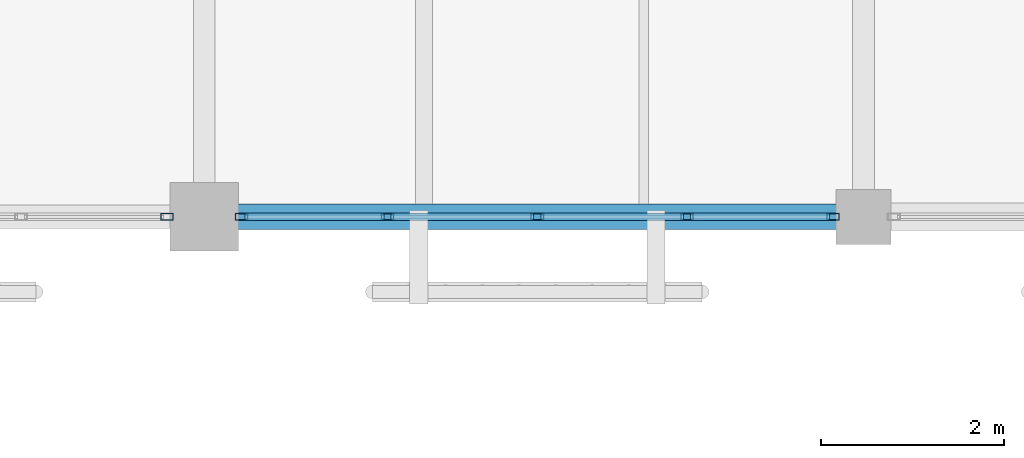
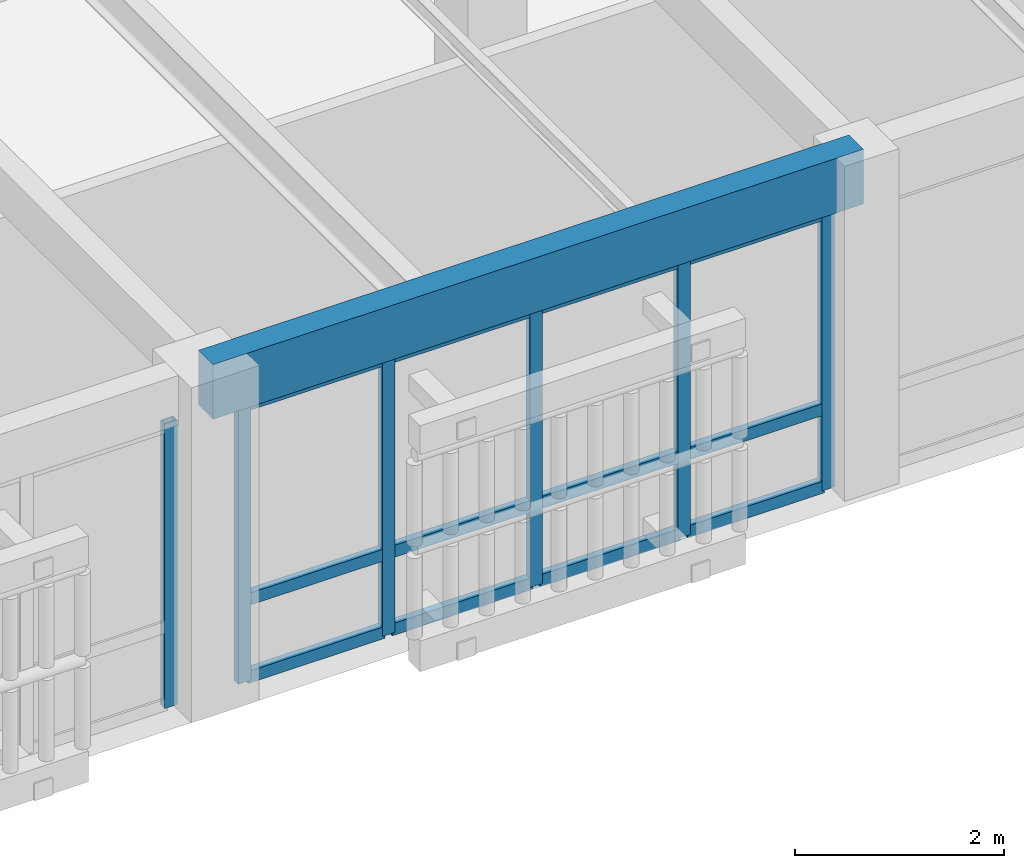
# One storey, part 108 of 170: 18 members, 1 beam, 2 elements without a shape of their own.
"""IFC4 building model written with IfcOpenShell, lengths in metres."""

from ifc_helpers import new_model, si_unit, direction, frame, origin, origin_2d, place, context, subcontext, project, spatial, rectangle, hollow_rectangle, extrude, material, layer, layer_set, material_profile, profile_set, type_object, element, aggregate, save


model = new_model("IFC4")

# Units and contexts
model_context = context("Model", 3, precision=1e-05, world=origin(), true_north=direction((0.0, 1.0)))
body_context = subcontext(model_context, "Body", "Model", "MODEL_VIEW")
ifc_project = project(units=[si_unit("LENGTHUNIT", "METRE"), si_unit("AREAUNIT", "SQUARE_METRE"), si_unit("VOLUMEUNIT", "CUBIC_METRE"), si_unit("PLANEANGLEUNIT", "RADIAN"), si_unit("MASSUNIT", "GRAM", prefix="KILO")], contexts=[model_context])

# Site, building, storey
site_placement = place(None, origin())
site = spatial("IfcSite", under=ifc_project, at=site_placement, CompositionType="ELEMENT")
building_placement = place(site_placement, origin())
building = spatial("IfcBuilding", under=site, at=building_placement, Name="Mazaris Harbour Polytechnic", CompositionType="ELEMENT")
storey_placement = place(building_placement, frame((0.0, 0.0, 5.39990234375)))
storey = spatial("IfcBuildingStorey", under=building, at=storey_placement, Name="L01", CompositionType="ELEMENT", Elevation=5.39990234375)

# Curtain wall, member
ifc_material_1 = material(Name="Anodised Bronze Aluminium and Low-E Glass", Category="aluminium")
ifc_layer = layer(ifc_material_1, 0.169921875, Name="Anodised Bronze Aluminium and Low-E Glass")
ifc_layer_set = layer_set([ifc_layer], Name="Anodised Bronze Aluminium and Low-E Glass")
curtain_wall_type = type_object("IfcCurtainWallType", Name="Studio North-Light Curtain Wall", PredefinedType="NOTDEFINED", material=ifc_layer_set)
curtain_wall_1_placement = place(storey_placement, origin())
curtain_wall_1 = element("IfcCurtainWall", 1, at=curtain_wall_1_placement, inside=storey, type_object=curtain_wall_type, Name="V5 L01 Curtain Wall 216", PredefinedType="NOTDEFINED")
ifc_material_2 = material(Name="Anodised Bronze Steel S355", Category="steel")
ifc_material_profile_1 = material_profile(ifc_material_2, hollow_rectangle(XDim=0.080078125, YDim=0.139892578125, WallThickness=0.00634765625, at=origin_2d()), Name="RHS 80x140x6.3")
ifc_profile_set_1 = profile_set([ifc_material_profile_1], Name="Anodised Bronze Steel S355")
member_type_1 = type_object("IfcMemberType", Name="Curtain Mullion RHS80x140", PredefinedType="MULLION", material=ifc_profile_set_1)
member_1_placement = place(storey_placement, frame((143.593017578125, 86.39990234375, 0.0), z_axis=(0.0, 0.0, 1.0), x_axis=(0.0, -1.0, 0.0)))
member_1 = element("IfcMember", 2, at=member_1_placement, type_object=member_type_1, Name="CW-03 mullion 1", PredefinedType="MULLION", context=body_context, shape_type="SweptSolid", body=[
    extrude(hollow_rectangle(XDim=0.080078125, YDim=0.139892578125, WallThickness=0.00634765625, at=origin_2d()), origin(), (0.0, 0.0, 1.0), 3.330078125),
])
aggregate(curtain_wall_1, [member_1])

# Curtain wall, members
curtain_wall_2_placement = place(storey_placement, origin())
curtain_wall_2 = element("IfcCurtainWall", 3, at=curtain_wall_2_placement, inside=storey, type_object=curtain_wall_type, Name="V5 L01 Curtain Wall 217", PredefinedType="NOTDEFINED")
member_2_placement = place(storey_placement, frame((150.867919921875, 86.39990234375, 0.0), z_axis=(0.0, 0.0, 1.0), x_axis=(0.0, -1.0, 0.0)))
member_2 = element("IfcMember", 4, at=member_2_placement, type_object=member_type_1, Name="CW-03 mullion 1", PredefinedType="MULLION", context=body_context, shape_type="SweptSolid", body=[
    extrude(hollow_rectangle(XDim=0.080078125, YDim=0.139892578125, WallThickness=0.00634765625, at=origin_2d()), origin(), (0.0, 0.0, 1.0), 3.27001953125),
])
member_3_placement = place(storey_placement, frame((149.272705078125, 86.39990234375, 0.0), z_axis=(0.0, 0.0, 1.0), x_axis=(0.0, -1.0, 0.0)))
member_3 = element("IfcMember", 5, at=member_3_placement, type_object=member_type_1, Name="CW-03 mullion 2", PredefinedType="MULLION", context=body_context, shape_type="SweptSolid", body=[
    extrude(hollow_rectangle(XDim=0.080078125, YDim=0.139892578125, WallThickness=0.00634765625, at=origin_2d()), origin(), (0.0, 0.0, 1.0), 3.27001953125),
])
member_4_placement = place(storey_placement, frame((147.637451171875, 86.39990234375, 0.0), z_axis=(0.0, 0.0, 1.0), x_axis=(0.0, -1.0, 0.0)))
member_4 = element("IfcMember", 6, at=member_4_placement, type_object=member_type_1, Name="CW-03 mullion 3", PredefinedType="MULLION", context=body_context, shape_type="SweptSolid", body=[
    extrude(hollow_rectangle(XDim=0.080078125, YDim=0.139892578125, WallThickness=0.00634765625, at=origin_2d()), origin(), (0.0, 0.0, 1.0), 3.27001953125),
])
member_5_placement = place(storey_placement, frame((146.002197265625, 86.39990234375, 0.0), z_axis=(0.0, 0.0, 1.0), x_axis=(0.0, -1.0, 0.0)))
member_5 = element("IfcMember", 7, at=member_5_placement, type_object=member_type_1, Name="CW-03 mullion 4", PredefinedType="MULLION", context=body_context, shape_type="SweptSolid", body=[
    extrude(hollow_rectangle(XDim=0.080078125, YDim=0.139892578125, WallThickness=0.00634765625, at=origin_2d()), origin(), (0.0, 0.0, 1.0), 3.27001953125),
])
member_6_placement = place(storey_placement, frame((144.406982421875, 86.39990234375, 0.0), z_axis=(0.0, 0.0, 1.0), x_axis=(0.0, -1.0, 0.0)))
member_6 = element("IfcMember", 8, at=member_6_placement, type_object=member_type_1, Name="CW-03 mullion 5", PredefinedType="MULLION", context=body_context, shape_type="SweptSolid", body=[
    extrude(hollow_rectangle(XDim=0.080078125, YDim=0.139892578125, WallThickness=0.00634765625, at=origin_2d()), origin(), (0.0, 0.0, 1.0), 3.27001953125),
])
ifc_material_3 = material(Name="Anodised Bronze Steel S355", Category="steel")
ifc_material_profile_2 = material_profile(ifc_material_3, hollow_rectangle(XDim=0.080078125, YDim=0.139892578125, WallThickness=0.00634765625, at=origin_2d()), Name="RHS 80x140x6.3")
ifc_profile_set_2 = profile_set([ifc_material_profile_2], Name="Anodised Bronze Steel S355")
member_type_2 = type_object("IfcMemberType", Name="Curtain Transom RHS80x140", PredefinedType="USERDEFINED", material=ifc_profile_set_2)
member_7_placement = place(storey_placement, frame((150.827880859375, 86.39990234375, 0.0400390625), z_axis=(-1.0, 0.0, 0.0), x_axis=(0.0, -1.0, 0.0)))
member_7 = element("IfcMember", 9, at=member_7_placement, type_object=member_type_2, Name="CW-03 transom 1.1", ObjectType="TRANSOM", PredefinedType="USERDEFINED", context=body_context, shape_type="SweptSolid", body=[
    extrude(hollow_rectangle(XDim=0.080078125, YDim=0.139892578125, WallThickness=0.00634765625, at=origin_2d()), origin(), (0.0, 0.0, 1.0), 1.51513671875),
])
member_8_placement = place(storey_placement, frame((150.827880859375, 86.39990234375, 0.9501953125), z_axis=(-1.0, 0.0, 0.0), x_axis=(0.0, -1.0, 0.0)))
member_8 = element("IfcMember", 10, at=member_8_placement, type_object=member_type_2, Name="CW-03 transom 1.2", ObjectType="TRANSOM", PredefinedType="USERDEFINED", context=body_context, shape_type="SweptSolid", body=[
    extrude(hollow_rectangle(XDim=0.080078125, YDim=0.139892578125, WallThickness=0.00634765625, at=origin_2d()), origin(), (0.0, 0.0, 1.0), 1.51513671875),
])
member_9_placement = place(storey_placement, frame((150.827880859375, 86.39990234375, 3.22998046875), z_axis=(-1.0, 0.0, 0.0), x_axis=(0.0, -1.0, 0.0)))
member_9 = element("IfcMember", 11, at=member_9_placement, type_object=member_type_2, Name="CW-03 transom 1.3", ObjectType="TRANSOM", PredefinedType="USERDEFINED", context=body_context, shape_type="SweptSolid", body=[
    extrude(hollow_rectangle(XDim=0.080078125, YDim=0.139892578125, WallThickness=0.00634765625, at=origin_2d()), origin(), (0.0, 0.0, 1.0), 1.51513671875),
])
member_10_placement = place(storey_placement, frame((149.232666015625, 86.39990234375, 0.0400390625), z_axis=(-1.0, 0.0, 0.0), x_axis=(0.0, -1.0, 0.0)))
member_10 = element("IfcMember", 12, at=member_10_placement, type_object=member_type_2, Name="CW-03 transom 2.1", ObjectType="TRANSOM", PredefinedType="USERDEFINED", context=body_context, shape_type="SweptSolid", body=[
    extrude(hollow_rectangle(XDim=0.080078125, YDim=0.139892578125, WallThickness=0.00634765625, at=origin_2d()), origin(), (0.0, 0.0, 1.0), 1.55517578125),
])
member_11_placement = place(storey_placement, frame((149.232666015625, 86.39990234375, 0.9501953125), z_axis=(-1.0, 0.0, 0.0), x_axis=(0.0, -1.0, 0.0)))
member_11 = element("IfcMember", 13, at=member_11_placement, type_object=member_type_2, Name="CW-03 transom 2.2", ObjectType="TRANSOM", PredefinedType="USERDEFINED", context=body_context, shape_type="SweptSolid", body=[
    extrude(hollow_rectangle(XDim=0.080078125, YDim=0.139892578125, WallThickness=0.00634765625, at=origin_2d()), origin(), (0.0, 0.0, 1.0), 1.55517578125),
])
member_12_placement = place(storey_placement, frame((149.232666015625, 86.39990234375, 3.22998046875), z_axis=(-1.0, 0.0, 0.0), x_axis=(0.0, -1.0, 0.0)))
member_12 = element("IfcMember", 14, at=member_12_placement, type_object=member_type_2, Name="CW-03 transom 2.3", ObjectType="TRANSOM", PredefinedType="USERDEFINED", context=body_context, shape_type="SweptSolid", body=[
    extrude(hollow_rectangle(XDim=0.080078125, YDim=0.139892578125, WallThickness=0.00634765625, at=origin_2d()), origin(), (0.0, 0.0, 1.0), 1.55517578125),
])
member_13_placement = place(storey_placement, frame((147.597412109375, 86.39990234375, 0.0400390625), z_axis=(-1.0, 0.0, 0.0), x_axis=(0.0, -1.0, 0.0)))
member_13 = element("IfcMember", 15, at=member_13_placement, type_object=member_type_2, Name="CW-03 transom 3.1", ObjectType="TRANSOM", PredefinedType="USERDEFINED", context=body_context, shape_type="SweptSolid", body=[
    extrude(hollow_rectangle(XDim=0.080078125, YDim=0.139892578125, WallThickness=0.00634765625, at=origin_2d()), origin(), (0.0, 0.0, 1.0), 1.55517578125),
])
member_14_placement = place(storey_placement, frame((147.597412109375, 86.39990234375, 0.9501953125), z_axis=(-1.0, 0.0, 0.0), x_axis=(0.0, -1.0, 0.0)))
member_14 = element("IfcMember", 16, at=member_14_placement, type_object=member_type_2, Name="CW-03 transom 3.2", ObjectType="TRANSOM", PredefinedType="USERDEFINED", context=body_context, shape_type="SweptSolid", body=[
    extrude(hollow_rectangle(XDim=0.080078125, YDim=0.139892578125, WallThickness=0.00634765625, at=origin_2d()), origin(), (0.0, 0.0, 1.0), 1.55517578125),
])
member_15_placement = place(storey_placement, frame((147.597412109375, 86.39990234375, 3.22998046875), z_axis=(-1.0, 0.0, 0.0), x_axis=(0.0, -1.0, 0.0)))
member_15 = element("IfcMember", 17, at=member_15_placement, type_object=member_type_2, Name="CW-03 transom 3.3", ObjectType="TRANSOM", PredefinedType="USERDEFINED", context=body_context, shape_type="SweptSolid", body=[
    extrude(hollow_rectangle(XDim=0.080078125, YDim=0.139892578125, WallThickness=0.00634765625, at=origin_2d()), origin(), (0.0, 0.0, 1.0), 1.55517578125),
])
member_16_placement = place(storey_placement, frame((145.962158203125, 86.39990234375, 0.0400390625), z_axis=(-1.0, 0.0, 0.0), x_axis=(0.0, -1.0, 0.0)))
member_16 = element("IfcMember", 18, at=member_16_placement, type_object=member_type_2, Name="CW-03 transom 4.1", ObjectType="TRANSOM", PredefinedType="USERDEFINED", context=body_context, shape_type="SweptSolid", body=[
    extrude(hollow_rectangle(XDim=0.080078125, YDim=0.139892578125, WallThickness=0.00634765625, at=origin_2d()), origin(), (0.0, 0.0, 1.0), 1.51513671875),
])
member_17_placement = place(storey_placement, frame((145.962158203125, 86.39990234375, 0.9501953125), z_axis=(-1.0, 0.0, 0.0), x_axis=(0.0, -1.0, 0.0)))
member_17 = element("IfcMember", 19, at=member_17_placement, type_object=member_type_2, Name="CW-03 transom 4.2", ObjectType="TRANSOM", PredefinedType="USERDEFINED", context=body_context, shape_type="SweptSolid", body=[
    extrude(hollow_rectangle(XDim=0.080078125, YDim=0.139892578125, WallThickness=0.00634765625, at=origin_2d()), origin(), (0.0, 0.0, 1.0), 1.51513671875),
])
member_18_placement = place(storey_placement, frame((145.962158203125, 86.39990234375, 3.22998046875), z_axis=(-1.0, 0.0, 0.0), x_axis=(0.0, -1.0, 0.0)))
member_18 = element("IfcMember", 20, at=member_18_placement, type_object=member_type_2, Name="CW-03 transom 4.3", ObjectType="TRANSOM", PredefinedType="USERDEFINED", context=body_context, shape_type="SweptSolid", body=[
    extrude(hollow_rectangle(XDim=0.080078125, YDim=0.139892578125, WallThickness=0.00634765625, at=origin_2d()), origin(), (0.0, 0.0, 1.0), 1.51513671875),
])
aggregate(curtain_wall_2, [member_2, member_3, member_4, member_5, member_6, member_7, member_8, member_9, member_10, member_11, member_12, member_13, member_14, member_15, member_16, member_17, member_18])

# Beam
ifc_material_4 = material(Name="Glulam GL32h", Category="wood")
ifc_material_profile_3 = material_profile(ifc_material_4, rectangle(XDim=0.280029296875, YDim=0.639892578125, at=origin_2d()), Name="RECT280x640")
ifc_profile_set_3 = profile_set([ifc_material_profile_3], Name="Glulam GL32h")
beam_type = type_object("IfcBeamType", Name="Glulam Girder 280x640", PredefinedType="BEAM", material=ifc_profile_set_3)
beam_placement = place(storey_placement, frame((144.0, 86.39990234375, 3.60009765625), z_axis=(1.0, 0.0, 0.0), x_axis=(0.0, 1.0, 0.0)))
element("IfcBeam", 21, at=beam_placement, inside=storey, type_object=beam_type, Name="V5 L01 Girder 2942", PredefinedType="BEAM", context=body_context, shape_type="SweptSolid", body=[
    extrude(rectangle(XDim=0.280029296875, YDim=0.639892578125, at=origin_2d()), origin(), (0.0, 0.0, 1.0), 7.199951171875),
])

save(model, "model.ifc")
